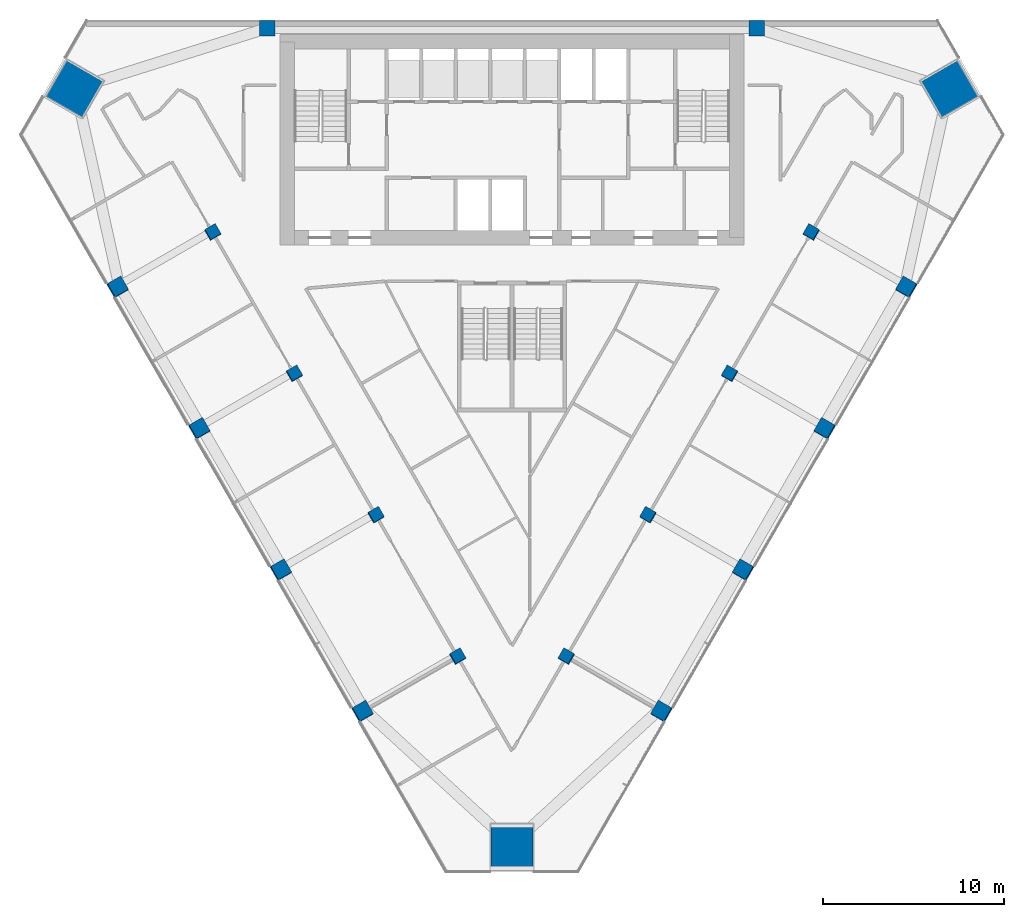
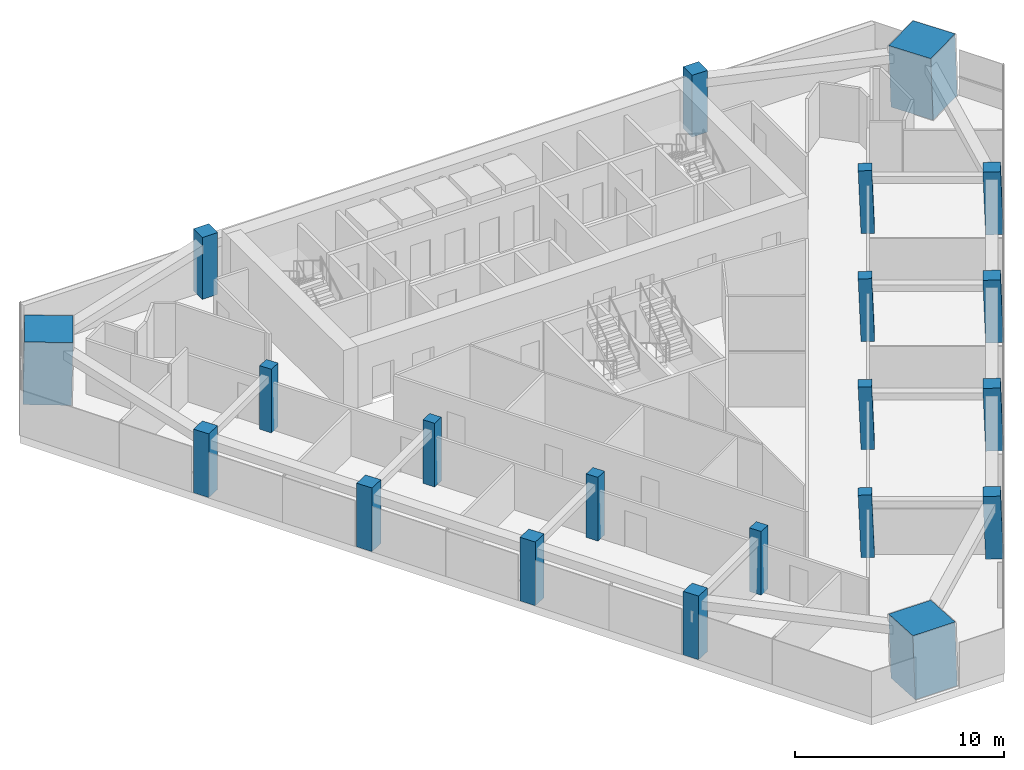
# One storey, part 1 of 13: 21 columns.
"""IFC4 building model written with IfcOpenShell, lengths in metres."""

from ifc_helpers import new_model, si_unit, direction, frame, origin, origin_2d, place, context, subcontext, project, spatial, rectangle, extrude, material, material_profile, profile_set, type_object, element, save


model = new_model("IFC4")

# Units and contexts
model_context = context("Model", 3, precision=1e-05, world=origin(), true_north=direction((0.0, 1.0)))
body_context = subcontext(model_context, "Body", "Model", "MODEL_VIEW")
ifc_project = project(units=[si_unit("LENGTHUNIT", "METRE"), si_unit("AREAUNIT", "SQUARE_METRE"), si_unit("VOLUMEUNIT", "CUBIC_METRE"), si_unit("PLANEANGLEUNIT", "RADIAN"), si_unit("MASSUNIT", "GRAM", prefix="KILO")], contexts=[model_context])

# Site, building, storey
site_placement = place(None, origin())
site = spatial("IfcSite", under=ifc_project, at=site_placement, CompositionType="ELEMENT")
building_placement = place(site_placement, origin())
building = spatial("IfcBuilding", under=site, at=building_placement, Name="Altiplano Prism Tower", CompositionType="ELEMENT")
storey_placement = place(building_placement, frame((0.0, 0.0, 153.0)))
storey = spatial("IfcBuildingStorey", under=building, at=storey_placement, Name="L39", CompositionType="ELEMENT", Elevation=153.0)

# Columns
ifc_material_1 = material(Name="Concrete C60/75", Category="concrete")
ifc_material_profile_1 = material_profile(ifc_material_1, rectangle(XDim=0.64990234375, YDim=0.64990234375, at=origin_2d()), Name="Inner column 650")
ifc_profile_set_1 = profile_set([ifc_material_profile_1], Name="Concrete C60/75")
column_type_1 = type_object("IfcColumnType", Name="Inner column 650", PredefinedType="COLUMN", material=ifc_profile_set_1)
for number, where, z_axis, x_axis, name in (
    (1, (68.491943359375, 93.289794921875, -0.019775390625), (0.02215369191, 0.038413282303, 0.999016333038), (-0.86535929663, -0.499678396489, 0.038402966283), "Inner column I11 L39"),
    (2, (72.991943359375, 85.495361328125, -0.019775390625), (0.022153634206, 0.038480930364, 0.999013730882), (-0.864979728815, -0.500331280926, 0.038453583269), "Inner column I12 L39"),
    (3, (77.491943359375, 77.701171875, -0.019775390625), (0.022153634206, 0.038480930364, 0.999013730882), (-0.864979720065, -0.500331296023, 0.038453583657), "Inner column I13 L39"),
    (4, (81.991943359375, 69.906982421875, -0.019775390625), (0.022153634206, 0.038480930364, 0.999013730882), (-0.864979728815, -0.500331280926, 0.038453583269), "Inner column I14 L39"),
    (5, (88.008056640625, 69.906982421875, -0.019775390625), (-0.022153634206, 0.038480930364, 0.999013730882), (-0.501317549295, -0.864978512638, 0.022201068531), "Inner column I21 L39"),
    (6, (92.508056640625, 77.701171875, -0.019775390625), (-0.022153634206, 0.038480930364, 0.999013730882), (-0.501317564392, -0.864978503905, 0.02220106786), "Inner column I22 L39"),
    (7, (97.008056640625, 85.495361328125, -0.019775390625), (-0.022153634206, 0.038480930364, 0.999013730882), (-0.501317549295, -0.864978512638, 0.022201068531), "Inner column I23 L39"),
    (8, (101.508056640625, 93.289794921875, -0.019775390625), (-0.02215369191, 0.038413282303, 0.999016333038), (-0.500657426602, -0.865361516108, 0.022171775474), "Inner column I24 L39"),
):
    element("IfcColumn", number, at=place(storey_placement, frame(where, z_axis=z_axis, x_axis=x_axis)), inside=storey, type_object=column_type_1, Name=name, PredefinedType="COLUMN", context=body_context, shape_type="SweptSolid", body=[
        extrude(rectangle(XDim=0.64990234375, YDim=0.64990234375, at=origin_2d()), origin(), (0.0, 0.0, 1.0), 3.603759765625),
    ])
ifc_material_2 = material(Name="Concrete C70/85", Category="concrete")
ifc_material_profile_2 = material_profile(ifc_material_2, rectangle(XDim=2.320068359375, YDim=2.320068359375, at=origin_2d()), Name="Mega column infill 2400")
ifc_profile_set_2 = profile_set([ifc_material_profile_2], Name="Concrete C70/85")
column_type_2 = type_object("IfcColumnType", Name="Mega column infill 2400", PredefinedType="COLUMN", material=ifc_profile_set_2)
column_1_placement = place(storey_placement, frame((60.83154296875, 101.186279296875, 0.0), z_axis=(0.028401796786, 0.009286506348, 0.999553449666), x_axis=(-0.866197501375, 0.499302452977, 0.019973709278)))
element("IfcColumn", 9, at=column_1_placement, inside=storey, type_object=column_type_2, Name="Mega column M0 L39", PredefinedType="COLUMN", context=body_context, shape_type="SweptSolid", body=[
    extrude(rectangle(XDim=2.320068359375, YDim=2.320068359375, at=origin_2d()), origin(), (0.0, 0.0, 1.0), 3.601806640625),
])
column_2_placement = place(storey_placement, frame((85.0, 59.325439453125, 0.0), z_axis=(0.0, 0.058356907999, 0.998295783467), x_axis=(-1.0, 0.0, 0.0)))
element("IfcColumn", 10, at=column_2_placement, inside=storey, type_object=column_type_2, Name="Mega column M1 L39", PredefinedType="COLUMN", context=body_context, shape_type="SweptSolid", body=[
    extrude(rectangle(XDim=2.320068359375, YDim=2.320068359375, at=origin_2d()), origin(), (0.0, 0.0, 1.0), 3.606201171875),
])
column_3_placement = place(storey_placement, frame((109.16845703125, 101.186279296875, 0.0), z_axis=(-0.028401796786, 0.009286506348, 0.999553449666), x_axis=(0.49889150885, -0.866379427708, 0.022224977879)))
element("IfcColumn", 11, at=column_3_placement, inside=storey, type_object=column_type_2, Name="Mega column M2 L39", PredefinedType="COLUMN", context=body_context, shape_type="SweptSolid", body=[
    extrude(rectangle(XDim=2.320068359375, YDim=2.320068359375, at=origin_2d()), origin(), (0.0, 0.0, 1.0), 3.601806640625),
])
ifc_material_profile_3 = material_profile(ifc_material_1, rectangle(XDim=0.85009765625, YDim=0.85009765625, at=origin_2d()), Name="Perimeter column 850")
ifc_profile_set_3 = profile_set([ifc_material_profile_3], Name="Concrete C60/75")
column_type_3 = type_object("IfcColumnType", Name="Perimeter column 850", PredefinedType="COLUMN", material=ifc_profile_set_3)
for number, where, z_axis, x_axis, name in (
    (12, (98.5, 104.550048828125, 0.0), (0.0, 0.0, 1.0), (1.0, 0.0, 0.0), "Perimeter column P01 L39"),
    (13, (71.5, 104.550048828125, 0.0), (0.0, 0.0, 1.0), (1.0, 0.0, 0.0), "Perimeter column P04 L39"),
):
    element("IfcColumn", number, at=place(storey_placement, frame(where, z_axis=z_axis, x_axis=x_axis)), inside=storey, type_object=column_type_3, Name=name, PredefinedType="COLUMN", context=body_context, shape_type="SweptSolid", body=[
        extrude(rectangle(XDim=0.85009765625, YDim=0.85009765625, at=origin_2d()), origin(), (0.0, 0.0, 1.0), 3.60009765625),
    ])
for number, where, z_axis, x_axis, name in (
    (14, (63.252197265625, 90.264404296875, -0.02587890625), (0.02222134892, 0.038480872521, 0.999012229206), (-0.865639401317, -0.499186837261, 0.038482832442), "Perimeter column P11 L39"),
    (15, (67.752197265625, 82.47021484375, -0.02587890625), (0.02222134892, 0.038480872521, 0.999012229206), (-0.865639410047, -0.499186822153, 0.038482832055), "Perimeter column P12 L39"),
    (16, (72.252197265625, 74.676025390625, -0.02587890625), (0.022221406801, 0.038413224561, 0.999014831351), (-0.8660213715, -0.498527787681, 0.038432135187), "Perimeter column P13 L39"),
    (17, (76.752197265625, 66.8818359375, -0.02587890625), (0.022221406801, 0.038413224561, 0.999014831351), (-0.866021380218, -0.498527772566, 0.0384321348), "Perimeter column P14 L39"),
    (18, (93.247802734375, 66.8818359375, -0.02587890625), (-0.022221406801, 0.038413224561, 0.999014831351), (-0.499512940858, -0.866022219206, 0.022188685317), "Perimeter column P21 L39"),
    (19, (97.747802734375, 74.676025390625, -0.02587890625), (-0.022221406801, 0.038413224561, 0.999014831351), (-0.499512955973, -0.866022210505, 0.022188684646), "Perimeter column P22 L39"),
    (20, (102.247802734375, 82.47021484375, -0.02587890625), (-0.02222134892, 0.038480872521, 0.999012229206), (-0.500174592943, -0.865639497158, 0.022217955235), "Perimeter column P23 L39"),
    (21, (106.747802734375, 90.264404296875, -0.02587890625), (-0.02222134892, 0.038480872521, 0.999012229206), (-0.500174608052, -0.865639488445, 0.022217954564), "Perimeter column P24 L39"),
):
    element("IfcColumn", number, at=place(storey_placement, frame(where, z_axis=z_axis, x_axis=x_axis)), inside=storey, type_object=column_type_3, Name=name, PredefinedType="COLUMN", context=body_context, shape_type="SweptSolid", body=[
        extrude(rectangle(XDim=0.85009765625, YDim=0.85009765625, at=origin_2d()), origin(), (0.0, 0.0, 1.0), 3.603759765625),
    ])

save(model, "model.ifc")
